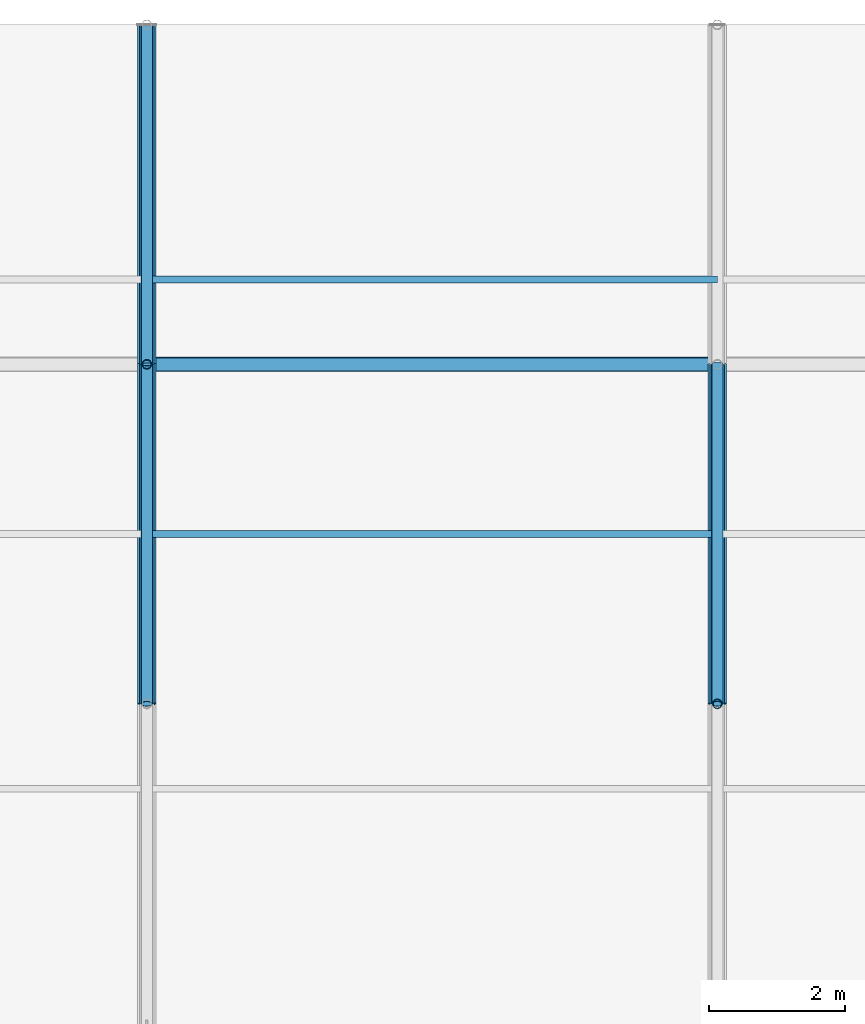
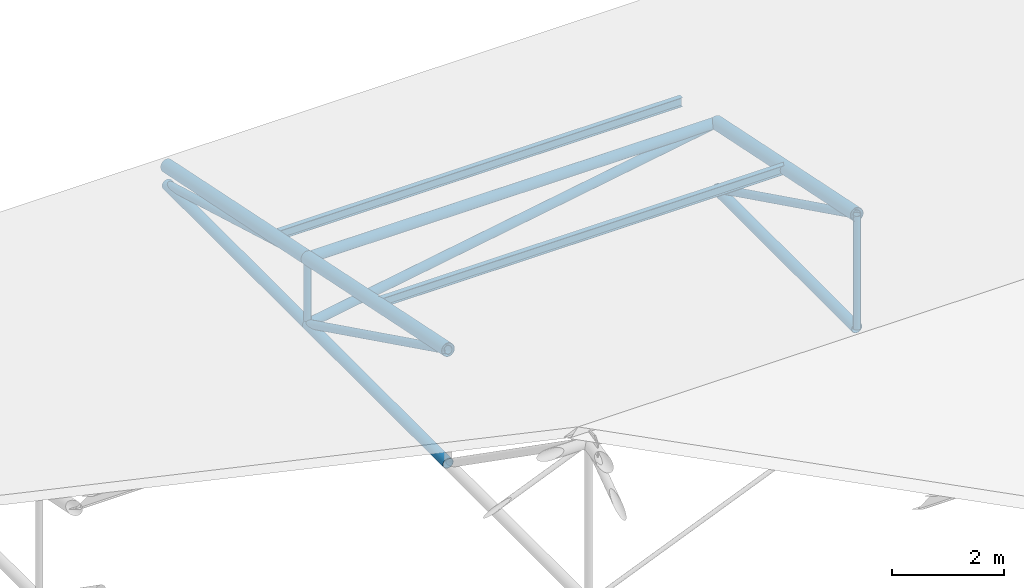
# One storey, part 111 of 194: 13 members, 2 beams.
"""IFC4 building model written with IfcOpenShell, lengths in metres."""

from ifc_helpers import new_model, si_unit, direction, frame, origin, origin_2d, place, context, subcontext, project, spatial, hollow_circle, i_section, extrude, material, material_profile, profile_set, type_object, element, save


model = new_model("IFC4")

# Units and contexts
model_context = context("Model", 3, precision=1e-05, world=origin(), true_north=direction((0.0, 1.0)))
body_context = subcontext(model_context, "Body", "Model", "MODEL_VIEW")
ifc_project = project(units=[si_unit("LENGTHUNIT", "METRE"), si_unit("AREAUNIT", "SQUARE_METRE"), si_unit("VOLUMEUNIT", "CUBIC_METRE"), si_unit("PLANEANGLEUNIT", "RADIAN"), si_unit("MASSUNIT", "GRAM", prefix="KILO")], contexts=[model_context])

# Site, building, storey
site_placement = place(None, origin())
site = spatial("IfcSite", under=ifc_project, at=site_placement, CompositionType="ELEMENT")
building_placement = place(site_placement, origin())
building = spatial("IfcBuilding", under=site, at=building_placement, Name="Kazenagashi Tramway Depot", CompositionType="ELEMENT")
storey_placement = place(building_placement, frame((0.0, 0.0, 23.7)))
storey = spatial("IfcBuildingStorey", under=building, at=storey_placement, Name="ROOF", CompositionType="ELEMENT", Elevation=23.7)

# Beams
ifc_material_1 = material(Name="Steel SN400B", Category="steel")
ifc_material_profile_1 = material_profile(ifc_material_1, i_section(OverallWidth=0.1, OverallDepth=0.2, WebThickness=0.0055, FlangeThickness=0.008, at=origin_2d()), Name="H-200x100x5.5x8")
ifc_profile_set_1 = profile_set([ifc_material_profile_1], Name="Steel SN400B")
beam_type = type_object("IfcBeamType", Name="PR-01", PredefinedType="USERDEFINED", material=ifc_profile_set_1)
for number, where, z_axis, x_axis, name in (
    (1, (179.2, 122.5, -12.13), (1.0, 0.0, 0.0), (0.0, 1.0, 0.0), "Beam PR-01 BM-2214"),
    (2, (179.2, 126.25, -12.955), (1.0, 0.0, 0.0), (0.0, 1.0, 0.0), "Beam PR-01 BM-2232"),
):
    element("IfcBeam", number, at=place(storey_placement, frame(where, z_axis=z_axis, x_axis=x_axis)), inside=storey, type_object=beam_type, Name=name, ObjectType="PURLIN", PredefinedType="USERDEFINED", context=body_context, shape_type="SweptSolid", body=[
        extrude(i_section(OverallWidth=0.1, OverallDepth=0.2, WebThickness=0.0055, FlangeThickness=0.008, at=origin_2d()), origin(), (0.0, 0.0, 1.0), 8.4),
    ])

# Members
ifc_material_2 = material(Name="Steel STK490", Category="steel")
ifc_material_profile_2 = material_profile(ifc_material_2, hollow_circle(Radius=0.1337, WallThickness=0.0093, at=origin_2d()), Name="CHS-267.4x9.3")
ifc_profile_set_2 = profile_set([ifc_material_profile_2], Name="Steel STK490")
member_type_1 = type_object("IfcMemberType", Name="TC-01", PredefinedType="CHORD", material=ifc_profile_set_2)
member_1_placement = place(storey_placement, frame((179.2, 120.0, -11.633), z_axis=(0.0, 0.979279174591, -0.202514933305), x_axis=(-1.0, 0.0, 0.0)))
element("IfcMember", 3, at=member_1_placement, inside=storey, type_object=member_type_1, Name="Tubular Space Frame TC-01 MEM-1020", PredefinedType="CHORD", context=body_context, shape_type="SweptSolid", body=[
    extrude(hollow_circle(Radius=0.1337, WallThickness=0.0093, at=origin_2d()), origin(), (0.0, 0.0, 1.0), 5.105796),
])
member_2_placement = place(storey_placement, frame((179.2, 125.0, -12.667), z_axis=(0.0, 0.979317999984, -0.202327098797), x_axis=(-1.0, 0.0, 0.0)))
element("IfcMember", 4, at=member_2_placement, inside=storey, type_object=member_type_1, Name="Tubular Space Frame TC-01 MEM-1023", PredefinedType="CHORD", context=body_context, shape_type="SweptSolid", body=[
    extrude(hollow_circle(Radius=0.1337, WallThickness=0.0093, at=origin_2d()), origin(), (0.0, 0.0, 1.0), 5.105594),
])
member_3_placement = place(storey_placement, frame((187.6, 120.0, -11.633), z_axis=(0.0, 0.979279174591, -0.202514933305), x_axis=(-1.0, 0.0, 0.0)))
element("IfcMember", 5, at=member_3_placement, inside=storey, type_object=member_type_1, Name="Tubular Space Frame TC-01 MEM-1081", PredefinedType="CHORD", context=body_context, shape_type="SweptSolid", body=[
    extrude(hollow_circle(Radius=0.1337, WallThickness=0.0093, at=origin_2d()), origin(), (0.0, 0.0, 1.0), 5.105796),
])
ifc_material_profile_3 = material_profile(ifc_material_2, hollow_circle(Radius=0.10815, WallThickness=0.0082, at=origin_2d()), Name="CHS-216.3x8.2")
ifc_profile_set_3 = profile_set([ifc_material_profile_3], Name="Steel STK490")
member_type_2 = type_object("IfcMemberType", Name="TC-02", PredefinedType="CHORD", material=ifc_profile_set_3)
for number, where, z_axis, x_axis, name in (
    (6, (179.2, 120.0, -14.1), (0.0, 1.0, 0.0), (-1.0, 0.0, 0.0), "Tubular Space Frame TC-02 MEM-1021"),
    (7, (179.2, 125.0, -14.1), (0.0, 1.0, 0.0), (-1.0, 0.0, 0.0), "Tubular Space Frame TC-02 MEM-1024"),
):
    element("IfcMember", number, at=place(storey_placement, frame(where, z_axis=z_axis, x_axis=x_axis)), inside=storey, type_object=member_type_2, Name=name, PredefinedType="CHORD", context=body_context, shape_type="SweptSolid", body=[
        extrude(hollow_circle(Radius=0.10815, WallThickness=0.0082, at=origin_2d()), origin(), (0.0, 0.0, 1.0), 5.0),
    ])
member_4_placement = place(storey_placement, frame((179.2, 125.0, -12.667), z_axis=(1.0, 0.0, 0.0), x_axis=(0.0, 1.0, 0.0)))
element("IfcMember", 8, at=member_4_placement, inside=storey, type_object=member_type_2, Name="Tubular Space Frame TC-02 MEM-1036", PredefinedType="CHORD", context=body_context, shape_type="SweptSolid", body=[
    extrude(hollow_circle(Radius=0.10815, WallThickness=0.0082, at=origin_2d()), origin(), (0.0, 0.0, 1.0), 8.4),
])
member_5_placement = place(storey_placement, frame((187.6, 120.0, -14.1), z_axis=(0.0, 1.0, 0.0), x_axis=(-1.0, 0.0, 0.0)))
element("IfcMember", 9, at=member_5_placement, inside=storey, type_object=member_type_2, Name="Tubular Space Frame TC-02 MEM-1082", PredefinedType="CHORD", context=body_context, shape_type="SweptSolid", body=[
    extrude(hollow_circle(Radius=0.10815, WallThickness=0.0082, at=origin_2d()), origin(), (0.0, 0.0, 1.0), 5.0),
])
ifc_material_profile_4 = material_profile(ifc_material_2, hollow_circle(Radius=0.0826, WallThickness=0.0071, at=origin_2d()), Name="CHS-165.2x7.1")
ifc_profile_set_4 = profile_set([ifc_material_profile_4], Name="Steel STK490")
member_type_3 = type_object("IfcMemberType", Name="TS-01", PredefinedType="STRUT", material=ifc_profile_set_4)
member_6_placement = place(storey_placement, frame((179.2, 120.0, -11.633), z_axis=(0.0, 0.896782162482, -0.442472318969), x_axis=(-1.0, 0.0, 0.0)))
element("IfcMember", 10, at=member_6_placement, inside=storey, type_object=member_type_3, Name="Tubular Space Frame TS-01 MEM-1022", PredefinedType="STRUT", context=body_context, shape_type="SweptSolid", body=[
    extrude(hollow_circle(Radius=0.0826, WallThickness=0.0071, at=origin_2d()), origin(), (0.0, 0.0, 1.0), 5.57549),
])
member_7_placement = place(storey_placement, frame((179.2, 125.0, -12.667), z_axis=(0.0, 0.961298717795, -0.27550821252), x_axis=(-1.0, 0.0, 0.0)))
element("IfcMember", 11, at=member_7_placement, inside=storey, type_object=member_type_3, Name="Tubular Space Frame TS-01 MEM-1025", PredefinedType="STRUT", context=body_context, shape_type="SweptSolid", body=[
    extrude(hollow_circle(Radius=0.0826, WallThickness=0.0071, at=origin_2d()), origin(), (0.0, 0.0, 1.0), 5.201297),
])
member_8_placement = place(storey_placement, frame((187.6, 120.0, -11.633), z_axis=(0.0, 0.896782162482, -0.442472318969), x_axis=(-1.0, 0.0, 0.0)))
element("IfcMember", 12, at=member_8_placement, inside=storey, type_object=member_type_3, Name="Tubular Space Frame TS-01 MEM-1083", PredefinedType="STRUT", context=body_context, shape_type="SweptSolid", body=[
    extrude(hollow_circle(Radius=0.0826, WallThickness=0.0071, at=origin_2d()), origin(), (0.0, 0.0, 1.0), 5.57549),
])
ifc_material_profile_5 = material_profile(ifc_material_2, hollow_circle(Radius=0.0699, WallThickness=0.0066, at=origin_2d()), Name="CHS-139.8x6.6")
ifc_profile_set_5 = profile_set([ifc_material_profile_5], Name="Steel STK490")
member_type_4 = type_object("IfcMemberType", Name="TS-02", PredefinedType="STRUT", material=ifc_profile_set_5)
member_9_placement = place(storey_placement, frame((179.2, 125.0, -14.1), z_axis=(0.0, 0.0, 1.0), x_axis=(1.0, 0.0, 0.0)))
element("IfcMember", 13, at=member_9_placement, inside=storey, type_object=member_type_4, Name="Tubular Space Frame TS-02 MEM-1030", PredefinedType="STRUT", context=body_context, shape_type="SweptSolid", body=[
    extrude(hollow_circle(Radius=0.0699, WallThickness=0.0066, at=origin_2d()), origin(), (0.0, 0.0, 1.0), 1.433),
])
member_10_placement = place(storey_placement, frame((187.6, 120.0, -14.1), z_axis=(0.0, 0.0, 1.0), x_axis=(1.0, 0.0, 0.0)))
element("IfcMember", 14, at=member_10_placement, inside=storey, type_object=member_type_4, Name="Tubular Space Frame TS-02 MEM-1090", PredefinedType="STRUT", context=body_context, shape_type="SweptSolid", body=[
    extrude(hollow_circle(Radius=0.0699, WallThickness=0.0066, at=origin_2d()), origin(), (0.0, 0.0, 1.0), 2.467),
])
ifc_material_profile_6 = material_profile(ifc_material_2, hollow_circle(Radius=0.09535, WallThickness=0.007, at=origin_2d()), Name="CHS-190.7x7.0")
ifc_profile_set_6 = profile_set([ifc_material_profile_6], Name="Steel STK490")
member_type_5 = type_object("IfcMemberType", Name="TS-05", PredefinedType="STRUT", material=ifc_profile_set_6)
member_11_placement = place(storey_placement, frame((179.2, 125.0, -14.1), z_axis=(0.985758734117, 0.0, 0.168165745951), x_axis=(0.0, 1.0, 0.0)))
element("IfcMember", 15, at=member_11_placement, inside=storey, type_object=member_type_5, Name="Tubular Space Frame TS-05 MEM-1037", PredefinedType="STRUT", context=body_context, shape_type="SweptSolid", body=[
    extrude(hollow_circle(Radius=0.09535, WallThickness=0.007, at=origin_2d()), origin(), (0.0, 0.0, 1.0), 8.521355),
])

save(model, "model.ifc")
